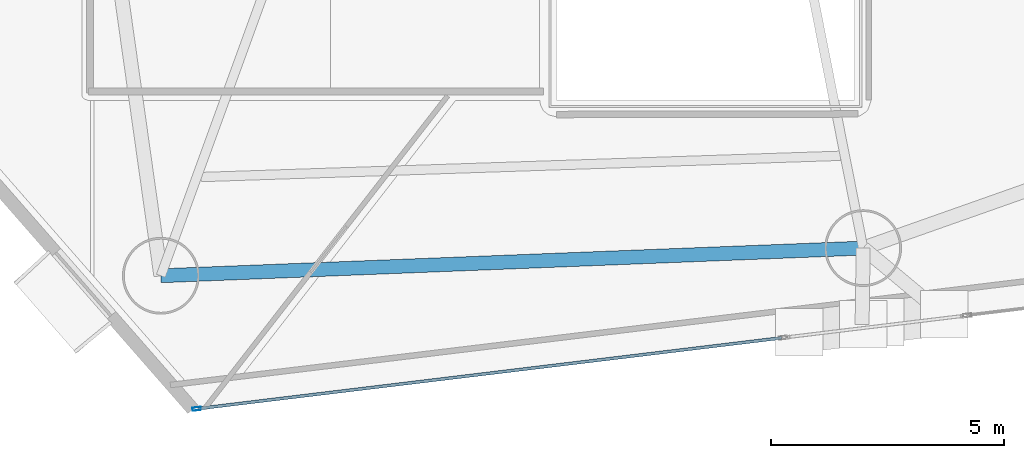
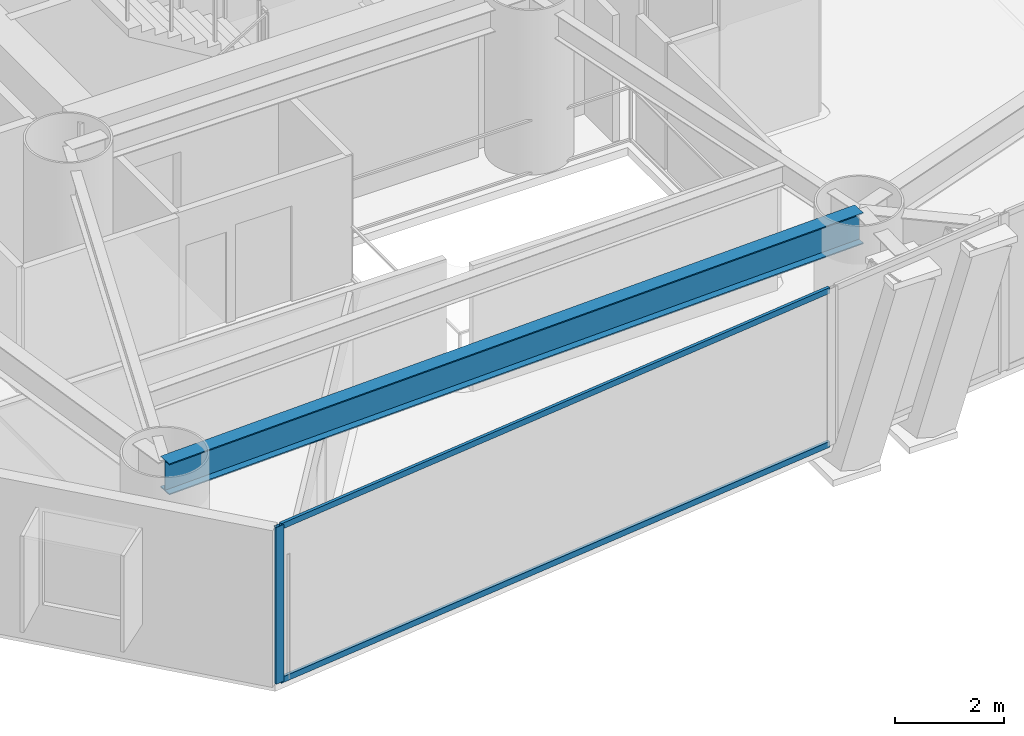
# One storey, part 2 of 24: 3 members, 1 beam, 1 element without a shape of its own.
"""IFC4 building model written with IfcOpenShell, lengths in metres."""

from ifc_helpers import new_model, si_unit, direction, frame, origin, origin_2d, place, context, subcontext, project, spatial, hollow_rectangle, i_section, extrude, material, layer, layer_set, material_profile, profile_set, type_object, element, aggregate, save


model = new_model("IFC4")

# Units and contexts
model_context = context("Model", 3, precision=1e-05, world=origin(), true_north=direction((0.0, 1.0)))
body_context = subcontext(model_context, "Body", "Model", "MODEL_VIEW")
ifc_project = project(units=[si_unit("LENGTHUNIT", "METRE"), si_unit("AREAUNIT", "SQUARE_METRE"), si_unit("VOLUMEUNIT", "CUBIC_METRE"), si_unit("PLANEANGLEUNIT", "RADIAN"), si_unit("MASSUNIT", "GRAM", prefix="KILO")], contexts=[model_context])

# Site, building, storey
site_placement = place(None, origin())
site = spatial("IfcSite", under=ifc_project, at=site_placement, CompositionType="ELEMENT")
building_placement = place(site_placement, origin())
building = spatial("IfcBuilding", under=site, at=building_placement, Name="Qianvela Tower", CompositionType="ELEMENT")
storey_placement = place(building_placement, frame((0.0, 0.0, 71.0)))
storey = spatial("IfcBuildingStorey", under=building, at=storey_placement, Name="L17", CompositionType="ELEMENT", Elevation=71.0)

# Beam
ifc_material_1 = material(Name="Steel Q355B", Category="steel")
ifc_material_profile_1 = material_profile(ifc_material_1, i_section(OverallWidth=0.300048828125, OverallDepth=0.699951171875, WebThickness=0.012939453125, FlangeThickness=0.02392578125, at=origin_2d()), Name="HN700x300x13x24")
ifc_profile_set_1 = profile_set([ifc_material_profile_1], Name="Steel Q355B")
beam_type = type_object("IfcBeamType", Name="BM-HN700-SPAND", PredefinedType="SPANDREL", material=ifc_profile_set_1)
beam_placement = place(storey_placement, frame((25.10009765625, 14.22509765625, 3.16796875), z_axis=(0.999226043345, 0.039335916178, 0.0), x_axis=(-0.039335916178, 0.999226043345, 0.0)))
element("IfcBeam", 1, at=beam_placement, inside=storey, type_object=beam_type, Name="L17 Perimeter Ring Spandrel Girder 5", PredefinedType="SPANDREL", context=body_context, shape_type="SweptSolid", body=[
    extrude(i_section(OverallWidth=0.300048828125, OverallDepth=0.699951171875, WebThickness=0.012939453125, FlangeThickness=0.02392578125, at=origin_2d()), origin(), (0.0, 0.0, 1.0), 15.1005859375),
])

# Curtain wall, members
ifc_material_2 = material(Name="Anodised Architectural Aluminium and Low-E Glass", Category="aluminium")
ifc_layer = layer(ifc_material_2, 0.179931640625)
ifc_layer_set = layer_set([ifc_layer], Name="Anodised Architectural Aluminium and Low-E Glass")
curtain_wall_type = type_object("IfcCurtainWallType", Name="CW-COLIV-Z12", PredefinedType="USERDEFINED", material=ifc_layer_set)
curtain_wall_placement = place(storey_placement, origin())
curtain_wall = element("IfcCurtainWall", 2, at=curtain_wall_placement, inside=storey, type_object=curtain_wall_type, Name="L17 CW-COLIV-Z12 Curtain Wall 06A", ObjectType="CURTAIN_WALL_SYSTEM", PredefinedType="USERDEFINED")
ifc_material_3 = material(Name="Anodised Architectural Aluminium 6063-T6", Category="aluminium")
ifc_material_profile_2 = material_profile(ifc_material_3, hollow_rectangle(XDim=0.070068359375, YDim=0.179931640625, WallThickness=0.0048828125, at=origin_2d()), Name="ALU-MULL-70x180")
ifc_profile_set_2 = profile_set([ifc_material_profile_2], Name="Anodised Architectural Aluminium 6063-T6")
member_type_1 = type_object("IfcMemberType", Name="CW-COLIV-Z12-MULL", PredefinedType="MULLION", material=ifc_profile_set_2)
member_1_placement = place(storey_placement, frame((25.869140625, 11.365966796875, 0.0), z_axis=(0.0, 0.0, 1.0), x_axis=(-0.120359920925, 0.992730320598, 0.0)))
member_1 = element("IfcMember", 3, at=member_1_placement, type_object=member_type_1, Name="CW-3 mullion 1", PredefinedType="MULLION", context=body_context, shape_type="SweptSolid", body=[
    extrude(hollow_rectangle(XDim=0.070068359375, YDim=0.179931640625, WallThickness=0.0048828125, at=origin_2d()), origin(), (0.0, 0.0, 1.0), 3.52001953125),
])
ifc_material_4 = material(Name="Anodised Architectural Aluminium 6063-T6", Category="aluminium")
ifc_material_profile_3 = material_profile(ifc_material_4, hollow_rectangle(XDim=0.06494140625, YDim=0.1298828125, WallThickness=0.00439453125, at=origin_2d()), Name="ALU-TRAN-65x130")
ifc_profile_set_3 = profile_set([ifc_material_profile_3], Name="Anodised Architectural Aluminium 6063-T6")
member_type_2 = type_object("IfcMemberType", Name="CW-COLIV-Z12-TRAN", PredefinedType="USERDEFINED", material=ifc_profile_set_3)
member_2_placement = place(storey_placement, frame((25.904052734375, 11.3701171875, 0.032470703125), z_axis=(0.992729439611, 0.120367187101, 0.0), x_axis=(-0.120367187101, 0.992729439611, 0.0)))
member_2 = element("IfcMember", 4, at=member_2_placement, type_object=member_type_2, Name="CW-3 transom 1.1", ObjectType="TRANSOM", PredefinedType="USERDEFINED", context=body_context, shape_type="SweptSolid", body=[
    extrude(hollow_rectangle(XDim=0.06494140625, YDim=0.1298828125, WallThickness=0.00439453125, at=origin_2d()), origin(), (0.0, 0.0, 1.0), 12.6201171875),
])
member_3_placement = place(storey_placement, frame((25.904052734375, 11.3701171875, 3.487548828125), z_axis=(0.992729439611, 0.120367187101, 0.0), x_axis=(-0.120367187101, 0.992729439611, 0.0)))
member_3 = element("IfcMember", 5, at=member_3_placement, type_object=member_type_2, Name="CW-3 transom 1.2", ObjectType="TRANSOM", PredefinedType="USERDEFINED", context=body_context, shape_type="SweptSolid", body=[
    extrude(hollow_rectangle(XDim=0.06494140625, YDim=0.1298828125, WallThickness=0.00439453125, at=origin_2d()), origin(), (0.0, 0.0, 1.0), 12.6201171875),
])
aggregate(curtain_wall, [member_1, member_2, member_3])

save(model, "model.ifc")
